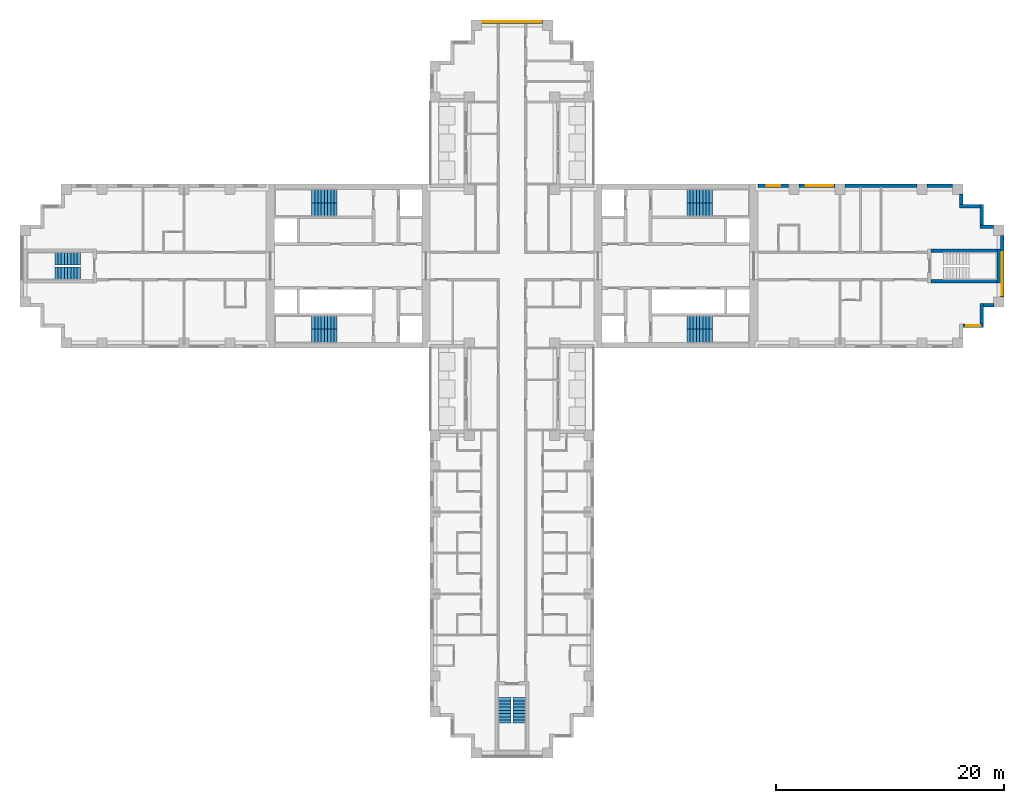
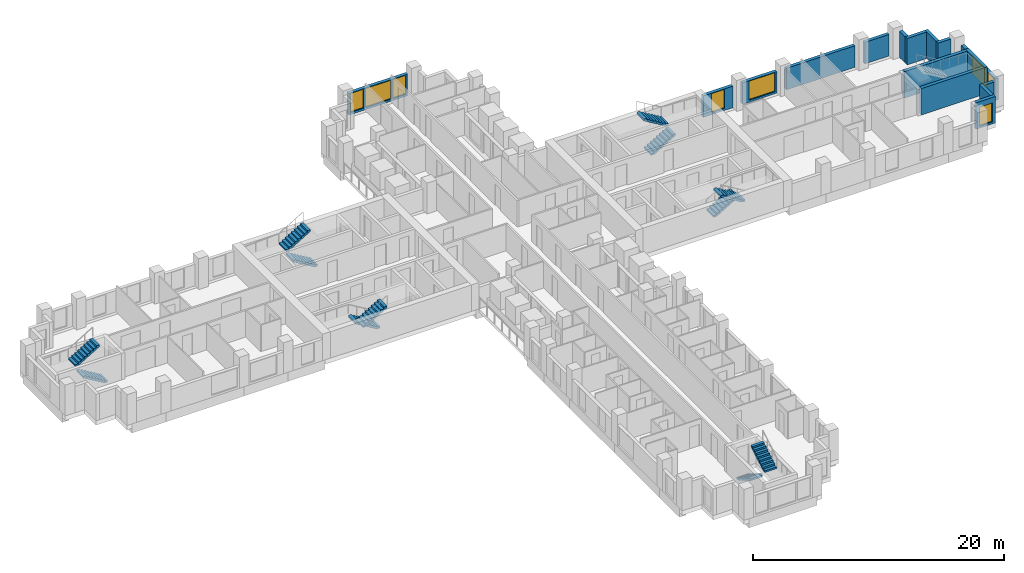
# One storey, part 11 of 14: 16 walls, 12 stair flights, 8 windows, 8 openings, 6 elements without a shape of their own.
"""IFC4 building model written with IfcOpenShell, lengths in metres."""

import ifcopenshell
import ifcopenshell.guid

model = None  # the IFC model being written
_history = None  # IfcOwnerHistory: only IFC2X3 demands one
_inside = {}  # id of a spatial element -> (the spatial element, [elements in it])
_under = {}  # id of a project, library or spatial element -> (it, [spatial elements below it])
_declared = {}  # id of a project -> (the project, [libraries it declares])
_typed = {}  # id of a type object -> (the type object, [elements of that type])
_made_of = {}  # id of a material, layer set ... -> (it, [elements and type objects made of it])


def new_model(schema):
    """Start an empty IFC model of exactly this schema.

    Asked for "IFC4X3", IfcOpenShell would pick the latest addendum, in which some entities
    have other attributes; the version numbers below select the first issue.
    IFC2X3 requires an IfcOwnerHistory on every rooted entity: one is made here for all.
    """
    global model, _history
    if schema == "IFC4X3":
        model = ifcopenshell.file(schema_version=(4, 3, 0, 0))
    else:
        model = ifcopenshell.file(schema=schema)
    _inside.clear()
    _under.clear()
    _declared.clear()
    _typed.clear()
    _made_of.clear()
    _history = None
    if model.schema == "IFC2X3":
        org = make("IfcOrganization", Name="unknown")
        user = make(
            "IfcPersonAndOrganization",
            ThePerson=make("IfcPerson", FamilyName="unknown"),
            TheOrganization=org,
        )
        app = make(
            "IfcApplication",
            ApplicationDeveloper=org,
            Version="unknown",
            ApplicationFullName="unknown",
            ApplicationIdentifier="unknown",
        )
        _history = make(
            "IfcOwnerHistory",
            OwningUser=user,
            OwningApplication=app,
            ChangeAction="ADDED",
            CreationDate=0,
        )
    return model


def make(cls, **values):
    """One entity of the class cls with the attributes given. An attribute that is None is left unset."""
    return model.create_entity(
        cls, **{name: value for name, value in values.items() if value is not None}
    )


def rooted(cls, **values):
    """An entity with a GlobalId (a new one), such as an element, a storey or a relation."""
    return make(cls, GlobalId=ifcopenshell.guid.new(), OwnerHistory=_history, **values)


def si_unit(unit_type, name, prefix=None):
    """IfcSIUnit, for example si_unit("LENGTHUNIT", "METRE", prefix="MILLI")."""
    return make("IfcSIUnit", UnitType=unit_type, Prefix=prefix, Name=name)


def assignment(units):
    """IfcUnitAssignment: the units of a project."""
    return None if units is None else make("IfcUnitAssignment", Units=units)


def point(xyz):
    """IfcCartesianPoint."""
    return None if xyz is None else make("IfcCartesianPoint", Coordinates=xyz)


def direction(xyz):
    """IfcDirection."""
    return None if xyz is None else make("IfcDirection", DirectionRatios=xyz)


def frame(location, z_axis=None, x_axis=None):
    """IfcAxis2Placement3D, a coordinate frame: its origin and axes. An axis left out is left unset."""
    return make(
        "IfcAxis2Placement3D",
        Location=point(location),
        Axis=direction(z_axis),
        RefDirection=direction(x_axis),
    )


def frame_2d(location, x_axis=None):
    """IfcAxis2Placement2D, a coordinate frame in the plane: its origin and x axis."""
    return make(
        "IfcAxis2Placement2D", Location=point(location), RefDirection=direction(x_axis)
    )


def origin():
    """The frame at (0, 0, 0) with its axes left unset."""
    return frame((0.0, 0.0, 0.0))


def place(relative_to, where):
    """IfcLocalPlacement: puts the frame where relative to a parent placement (None: the world)."""
    return make(
        "IfcLocalPlacement", PlacementRelTo=relative_to, RelativePlacement=where
    )


def context(
    kind, dimensions, precision=None, world=None, true_north=None, identifier=None
):
    """IfcGeometricRepresentationContext, for example the 3D "Model" context."""
    return make(
        "IfcGeometricRepresentationContext",
        ContextIdentifier=identifier,
        ContextType=kind,
        CoordinateSpaceDimension=dimensions,
        Precision=precision,
        WorldCoordinateSystem=world,
        TrueNorth=true_north,
    )


def subcontext(parent, identifier, kind, view, scale=None):
    """IfcGeometricRepresentationSubContext, for example "Body" below "Model"."""
    return make(
        "IfcGeometricRepresentationSubContext",
        ContextIdentifier=identifier,
        ContextType=kind,
        ParentContext=parent,
        TargetScale=scale,
        TargetView=view,
    )


def project(units=None, contexts=None):
    """IfcProject with its units and contexts."""
    return rooted(
        "IfcProject",
        Name="project",
        RepresentationContexts=contexts,
        UnitsInContext=assignment(units),
    )


def spatial(cls, under=None, at=None, **own):
    """A site, building, storey or space (cls), placed at a placement, below another one or the project."""
    s = rooted(cls, ObjectPlacement=at, **own)
    if under is not None:
        _under.setdefault(under.id(), (under, []))[1].append(s)
    return s


def polyline(points):
    """IfcPolyline through the points."""
    return make("IfcPolyline", Points=[point(p) for p in points])


def profile(cls, at=None, kind="AREA", **sizes):
    """A parametric profile (cls). Its sizes go by their IFC names, for example OverallWidth=200.0."""
    return make(cls, ProfileType=kind, Position=at, **sizes)


def rectangle(**sizes):
    """IfcRectangleProfileDef."""
    return profile("IfcRectangleProfileDef", **sizes)


def outline(outer, holes=None, kind="AREA"):
    """IfcArbitraryClosedProfileDef: a profile drawn as a closed curve; with holes, ...WithVoids."""
    if holes is None:
        return make("IfcArbitraryClosedProfileDef", ProfileType=kind, OuterCurve=outer)
    return make(
        "IfcArbitraryProfileDefWithVoids",
        ProfileType=kind,
        OuterCurve=outer,
        InnerCurves=holes,
    )


def extrude(swept, where, along, depth):
    """IfcExtrudedAreaSolid: the profile swept, set in the frame where, extruded along a direction by depth."""
    return make(
        "IfcExtrudedAreaSolid",
        SweptArea=swept,
        Position=where,
        ExtrudedDirection=direction(along),
        Depth=depth,
    )


def shape(context_of_items, identifier, shape_type, items):
    """IfcShapeRepresentation: the items that make up one representation, for example the "Body"."""
    return make(
        "IfcShapeRepresentation",
        ContextOfItems=context_of_items,
        RepresentationIdentifier=identifier,
        RepresentationType=shape_type,
        Items=items,
    )


def material(Name=None, Category=None):
    """IfcMaterial."""
    return make("IfcMaterial", Name=Name, Category=Category)


def layer(
    of_material, thickness, ventilated=None, Name=None, Category=None, Priority=None
):
    """IfcMaterialLayer: one layer of a wall or slab, of a material (None: an air gap)."""
    return make(
        "IfcMaterialLayer",
        Material=of_material,
        LayerThickness=thickness,
        IsVentilated=ventilated,
        Name=Name,
        Category=Category,
        Priority=Priority,
    )


def layer_set(layers, Name=None):
    """IfcMaterialLayerSet."""
    return make("IfcMaterialLayerSet", MaterialLayers=layers, LayerSetName=Name)


def made_of(thing, what):
    """Note that an element or type object is made of a material, layer set ...; save() writes the relation."""
    if what is not None:
        _made_of.setdefault(what.id(), (what, []))[1].append(thing)
    return thing


def type_object(cls, material=None, **own):
    """A type object (cls), such as IfcWallType, which elements share."""
    return made_of(rooted(cls, **own), material)


def element(
    cls,
    number,
    at=None,
    inside=None,
    cuts=None,
    type_object=None,
    material=None,
    context=None,
    identifier="Body",
    shape_type=None,
    held_by="IfcProductDefinitionShape",
    body=None,
    shapes=None,
    **own,
):
    """One element of the class cls, such as IfcWall. Its Tag is "e" and its number.

    at: its placement. inside: the storey or other place that contains it. cuts: it is an
    opening in that element (IfcRelVoidsElement). A single representation is given by context,
    identifier, shape_type and body (its items); several are given by shapes. held_by: the class
    of the entity that holds the representations. save() writes the other relations.
    """
    e = rooted(cls, Tag="e%d" % number, ObjectPlacement=at, **own)
    if body is not None:
        shapes = [shape(context, identifier, shape_type, body)]
    if shapes is not None:
        e.Representation = make(held_by, Representations=shapes)
    if inside is not None:
        _inside.setdefault(inside.id(), (inside, []))[1].append(e)
    if cuts is not None:
        rooted(
            "IfcRelVoidsElement", RelatingBuildingElement=cuts, RelatedOpeningElement=e
        )
    if type_object is not None:
        _typed.setdefault(type_object.id(), (type_object, []))[1].append(e)
    return made_of(e, material)


def fill(opening, filler):
    """IfcRelFillsElement: the door or window that sits in an opening."""
    return rooted(
        "IfcRelFillsElement",
        RelatingOpeningElement=opening,
        RelatedBuildingElement=filler,
    )


def aggregate(whole, parts):
    """IfcRelAggregates: a whole, such as a stair, and the parts it consists of."""
    return rooted("IfcRelAggregates", RelatingObject=whole, RelatedObjects=parts)


def save(model, path):
    """Write the relations noted so far, then the file.

    IfcRelAggregates (storeys below a building ...), IfcRelContainedInSpatialStructure (elements
    in a storey), IfcRelDefinesByType, IfcRelAssociatesMaterial and IfcRelDeclares: one each for
    every whole, place, type object, material and project.
    """
    for whole, parts in _under.values():
        aggregate(whole, parts)
    for where, things in _inside.values():
        rooted(
            "IfcRelContainedInSpatialStructure",
            RelatedElements=things,
            RelatingStructure=where,
        )
    for kind, things in _typed.values():
        rooted("IfcRelDefinesByType", RelatedObjects=things, RelatingType=kind)
    for what, things in _made_of.values():
        rooted("IfcRelAssociatesMaterial", RelatedObjects=things, RelatingMaterial=what)
    for by, libraries in _declared.values():
        rooted("IfcRelDeclares", RelatingContext=by, RelatedDefinitions=libraries)
    model.write(path)


model = new_model("IFC4")

# Units and contexts
model_context = context("Model", 3, precision=1e-05, world=origin(), true_north=direction((0.0, 1.0)))
body_context = subcontext(model_context, "Body", "Model", "MODEL_VIEW")
ifc_project = project(units=[si_unit("LENGTHUNIT", "METRE"), si_unit("AREAUNIT", "SQUARE_METRE"), si_unit("VOLUMEUNIT", "CUBIC_METRE"), si_unit("PLANEANGLEUNIT", "RADIAN"), si_unit("MASSUNIT", "GRAM", prefix="KILO")], contexts=[model_context])

# Site, building, storey
site_placement = place(None, origin())
site = spatial("IfcSite", under=ifc_project, at=site_placement, CompositionType="ELEMENT")
building_placement = place(site_placement, origin())
building = spatial("IfcBuilding", under=site, at=building_placement, Name="Fustian Cross Tower", CompositionType="ELEMENT")
storey_placement = place(building_placement, frame((0.0, 0.0, 93.89990234375)))
storey = spatial("IfcBuildingStorey", under=building, at=storey_placement, Name="L29", CompositionType="ELEMENT", Elevation=93.89990234375)

# Walls
ifc_material_1 = material(Name="Concrete C50/60", Category="concrete")
ifc_layer_1 = layer(ifc_material_1, 0.300048828125)
ifc_layer_set_1 = layer_set([ifc_layer_1], Name="Concrete C50/60")
wall_type_1 = type_object("IfcWallType", Name="STAIR ENCLOSURE WALL 300 C50/60", PredefinedType="SHEAR", material=ifc_layer_set_1)
wall_1_placement = place(storey_placement, frame((42.75, -1.5, 0.0), z_axis=(0.0, 0.0, 1.0), x_axis=(0.0, 1.0, 0.0)))
element("IfcWall", 1, at=wall_1_placement, inside=storey, type_object=wall_type_1, Name="Stair enclosure wall", PredefinedType="SHEAR", context=body_context, shape_type="SweptSolid", body=[
    extrude(rectangle(XDim=3.0, YDim=0.300048828125, at=frame_2d((1.5, 0.0))), origin(), (0.0, 0.0, 1.0), 2.5751953125),
])
for number, where, z_axis, x_axis, name in (
    (2, (36.800048828125, -1.35009765625, 0.0), (0.0, 0.0, 1.0), (1.0, 0.0, 0.0), "Stair enclosure wall"),
    (3, (36.800048828125, 1.35009765625, 0.0), (0.0, 0.0, 1.0), (1.0, 0.0, 0.0), "Stair enclosure wall"),
):
    element("IfcWall", number, at=place(storey_placement, frame(where, z_axis=z_axis, x_axis=x_axis)), inside=storey, type_object=wall_type_1, Name=name, PredefinedType="SHEAR", context=body_context, shape_type="SweptSolid", body=[
        extrude(rectangle(XDim=5.800048828125, YDim=0.300048828125, at=frame_2d((2.89990234375, 0.0))), origin(), (0.0, 0.0, 1.0), 2.5751953125),
    ])

# Wall, opening, window
ifc_material_2 = material(Name="Dark aluminium cladding on insulated backing wall", Category="aluminium")
ifc_layer_2 = layer(ifc_material_2, 0.300048828125)
ifc_layer_set_2 = layer_set([ifc_layer_2], Name="Dark aluminium cladding on insulated backing wall")
wall_type_2 = type_object("IfcWallType", Name="XW1 EXTERNAL WALL 300", PredefinedType="SOLIDWALL", material=ifc_layer_set_2)
wall_2_placement = place(storey_placement, frame((39.60009765625, -5.25, 0.0), z_axis=(0.0, 0.0, 1.0), x_axis=(1.0, 0.0, 0.0)))
wall_2 = element("IfcWall", 4, at=wall_2_placement, inside=storey, type_object=wall_type_2, Name="External wall", PredefinedType="SOLIDWALL", context=body_context, shape_type="SweptSolid", body=[
    extrude(rectangle(XDim=1.7998046875, YDim=0.300048828125, at=frame_2d((0.89990234375, 0.0))), origin(), (0.0, 0.0, 1.0), 2.5751953125),
])
opening_1_placement = place(wall_2_placement, frame((0.300048828125, 0.0, 0.199951171875)))
opening_1 = element("IfcOpeningElement", 5, at=opening_1_placement, cuts=wall_2, Name="Opening WN3", PredefinedType="OPENING", context=body_context, shape_type="SweptSolid", body=[
    extrude(rectangle(XDim=1.199951171875, YDim=1.85009765625, at=frame_2d((0.60009765625, 0.925048828125))), frame((0.0, 0.159912109375, 0.0), z_axis=(0.0, -1.0, 0.0), x_axis=(1.0, 0.0, 0.0)), (0.0, 0.0, 1.0), 0.320068359375),
])
ifc_material_3 = material(Name="Dark anodised aluminium and double glazing", Category="aluminium")
window_type_1 = type_object("IfcWindowType", Name="WN3 WINDOW 1200X1850", PartitioningType="SINGLE_PANEL", PredefinedType="WINDOW", material=ifc_material_3)
window_1_placement = place(opening_1_placement, origin())
window_1 = element("IfcWindow", 6, at=window_1_placement, inside=storey, type_object=window_type_1, Name="Window", OverallHeight=1.85009765625, OverallWidth=1.199951171875, PartitioningType="SINGLE_PANEL", PredefinedType="WINDOW", context=body_context, shape_type="SweptSolid", body=[
    extrude(rectangle(XDim=1.199951171875, YDim=1.85009765625, at=frame_2d((0.60009765625, 0.925048828125))), frame((0.0, 0.030029296875, 0.0), z_axis=(0.0, -1.0, 0.0), x_axis=(1.0, 0.0, 0.0)), (0.0, 0.0, 1.0), 0.06005859375),
])
fill(opening_1, window_1)

# Walls
wall_3_placement = place(storey_placement, frame((41.25, -5.10009765625, 0.0), z_axis=(0.0, 0.0, 1.0), x_axis=(0.0, 1.0, 0.0)))
element("IfcWall", 7, at=wall_3_placement, inside=storey, type_object=wall_type_2, Name="External wall", PredefinedType="SOLIDWALL", context=body_context, shape_type="SweptSolid", body=[
    extrude(rectangle(XDim=1.800048828125, YDim=0.300048828125, at=frame_2d((0.89990234375, 0.0))), origin(), (0.0, 0.0, 1.0), 2.5751953125),
])
wall_4_placement = place(storey_placement, frame((41.39990234375, -3.449951171875, 0.0), z_axis=(0.0, 0.0, 1.0), x_axis=(1.0, 0.0, 0.0)))
element("IfcWall", 8, at=wall_4_placement, inside=storey, type_object=wall_type_2, Name="External wall", PredefinedType="SOLIDWALL", context=body_context, shape_type="SweptSolid", body=[
    extrude(rectangle(XDim=0.900146484375, YDim=0.300048828125, at=frame_2d((0.4501953125, 0.0))), origin(), (0.0, 0.0, 1.0), 2.5751953125),
])

# Wall, openings, windows
wall_5_placement = place(storey_placement, frame((43.050048828125, -2.699951171875, 0.0), z_axis=(0.0, 0.0, 1.0), x_axis=(0.0, 1.0, 0.0)))
wall_5 = element("IfcWall", 9, at=wall_5_placement, inside=storey, type_object=wall_type_2, Name="External wall", PredefinedType="SOLIDWALL", context=body_context, shape_type="SweptSolid", body=[
    extrude(rectangle(XDim=5.39990234375, YDim=0.300048828125, at=frame_2d((2.699951171875, 0.0))), origin(), (0.0, 0.0, 1.0), 2.10009765625),
])
opening_2_placement = place(wall_5_placement, frame((1.5, 0.0, 0.199951171875)))
opening_2 = element("IfcOpeningElement", 10, at=opening_2_placement, cuts=wall_5, Name="Opening WN1", PredefinedType="OPENING", context=body_context, shape_type="SweptSolid", body=[
    extrude(rectangle(XDim=2.39990234375, YDim=1.85009765625, at=frame_2d((1.199951171875, 0.925048828125))), frame((0.0, 0.159912109375, 0.0), z_axis=(0.0, -1.0, 0.0), x_axis=(1.0, 0.0, 0.0)), (0.0, 0.0, 1.0), 0.320068359375),
])
opening_3_placement = place(wall_5_placement, frame((0.14990234375, 0.0, 0.199951171875)))
opening_3 = element("IfcOpeningElement", 11, at=opening_3_placement, cuts=wall_5, Name="Opening WN3", PredefinedType="OPENING", context=body_context, shape_type="SweptSolid", body=[
    extrude(rectangle(XDim=1.199951171875, YDim=1.85009765625, at=frame_2d((0.60009765625, 0.925048828125))), frame((0.0, 0.159912109375, 0.0), z_axis=(0.0, -1.0, 0.0), x_axis=(1.0, 0.0, 0.0)), (0.0, 0.0, 1.0), 0.320068359375),
])
ifc_material_4 = material(Name="Dark anodised aluminium and double glazing", Category="aluminium")
window_type_2 = type_object("IfcWindowType", Name="WN1 WINDOW 2400X1850", PartitioningType="SINGLE_PANEL", PredefinedType="WINDOW", material=ifc_material_4)
window_2_placement = place(opening_2_placement, origin())
window_2 = element("IfcWindow", 12, at=window_2_placement, inside=storey, type_object=window_type_2, Name="Window", OverallHeight=1.85009765625, OverallWidth=2.39990234375, PartitioningType="SINGLE_PANEL", PredefinedType="WINDOW", context=body_context, shape_type="SweptSolid", body=[
    extrude(rectangle(XDim=2.39990234375, YDim=1.85009765625, at=frame_2d((1.199951171875, 0.925048828125))), frame((0.0, 0.030029296875, 0.0), z_axis=(0.0, -1.0, 0.0), x_axis=(1.0, 0.0, 0.0)), (0.0, 0.0, 1.0), 0.06005859375),
])
fill(opening_2, window_2)
window_3_placement = place(opening_3_placement, origin())
window_3 = element("IfcWindow", 13, at=window_3_placement, inside=storey, type_object=window_type_1, Name="Window", OverallHeight=1.85009765625, OverallWidth=1.199951171875, PartitioningType="SINGLE_PANEL", PredefinedType="WINDOW", context=body_context, shape_type="SweptSolid", body=[
    extrude(rectangle(XDim=1.199951171875, YDim=1.85009765625, at=frame_2d((0.60009765625, 0.925048828125))), frame((0.0, 0.030029296875, 0.0), z_axis=(0.0, -1.0, 0.0), x_axis=(1.0, 0.0, 0.0)), (0.0, 0.0, 1.0), 0.06005859375),
])
fill(opening_3, window_3)

# Walls
wall_6_placement = place(storey_placement, frame((42.300048828125, 3.449951171875, 0.0), z_axis=(0.0, 0.0, 1.0), x_axis=(-1.0, 0.0, 0.0)))
element("IfcWall", 14, at=wall_6_placement, inside=storey, type_object=wall_type_2, Name="External wall", PredefinedType="SOLIDWALL", context=body_context, shape_type="SweptSolid", body=[
    extrude(rectangle(XDim=1.199951171875, YDim=0.300048828125, at=frame_2d((0.60009765625, 0.0))), origin(), (0.0, 0.0, 1.0), 2.5751953125),
])
wall_7_placement = place(storey_placement, frame((41.25, 3.60009765625, 0.0), z_axis=(0.0, 0.0, 1.0), x_axis=(0.0, 1.0, 0.0)))
element("IfcWall", 15, at=wall_7_placement, inside=storey, type_object=wall_type_2, Name="External wall", PredefinedType="SOLIDWALL", context=body_context, shape_type="SweptSolid", body=[
    extrude(rectangle(XDim=1.7998046875, YDim=0.300048828125, at=frame_2d((0.89990234375, 0.0))), origin(), (0.0, 0.0, 1.0), 2.5751953125),
])
wall_8_placement = place(storey_placement, frame((41.10009765625, 5.25, 0.0), z_axis=(0.0, 0.0, 1.0), x_axis=(-1.0, 0.0, 0.0)))
element("IfcWall", 16, at=wall_8_placement, inside=storey, type_object=wall_type_2, Name="External wall", PredefinedType="SOLIDWALL", context=body_context, shape_type="SweptSolid", body=[
    extrude(rectangle(XDim=1.800048828125, YDim=0.300048828125, at=frame_2d((0.89990234375, 0.0))), origin(), (0.0, 0.0, 1.0), 2.5751953125),
])
wall_9_placement = place(storey_placement, frame((39.449951171875, 5.39990234375, 0.0), z_axis=(0.0, 0.0, 1.0), x_axis=(0.0, 1.0, 0.0)))
element("IfcWall", 17, at=wall_9_placement, inside=storey, type_object=wall_type_2, Name="External wall", PredefinedType="SOLIDWALL", context=body_context, shape_type="SweptSolid", body=[
    extrude(rectangle(XDim=0.900146484375, YDim=0.300048828125, at=frame_2d((0.4501953125, 0.0))), origin(), (0.0, 0.0, 1.0), 2.5751953125),
])
wall_10_placement = place(storey_placement, frame((38.699951171875, 7.050048828125, 0.0), z_axis=(0.0, 0.0, 1.0), x_axis=(-1.0, 0.0, 0.0)))
element("IfcWall", 18, at=wall_10_placement, inside=storey, type_object=wall_type_2, Name="External wall", PredefinedType="SOLIDWALL", context=body_context, shape_type="SweptSolid", body=[
    extrude(rectangle(XDim=2.25, YDim=0.300048828125, at=frame_2d((1.125, 0.0))), origin(), (0.0, 0.0, 1.0), 2.10009765625),
])
wall_11_placement = place(storey_placement, frame((35.550048828125, 7.050048828125, 0.0), z_axis=(0.0, 0.0, 1.0), x_axis=(-1.0, 0.0, 0.0)))
element("IfcWall", 19, at=wall_11_placement, inside=storey, type_object=wall_type_2, Name="External wall", PredefinedType="SOLIDWALL", context=body_context, shape_type="SweptSolid", body=[
    extrude(rectangle(XDim=6.300048828125, YDim=0.300048828125, at=frame_2d((3.14990234375, 0.0))), origin(), (0.0, 0.0, 1.0), 2.10009765625),
])

# Wall, opening, window
wall_12_placement = place(storey_placement, frame((28.35009765625, 7.050048828125, 0.0), z_axis=(0.0, 0.0, 1.0), x_axis=(-1.0, 0.0, 0.0)))
wall_12 = element("IfcWall", 20, at=wall_12_placement, inside=storey, type_object=wall_type_2, Name="External wall", PredefinedType="SOLIDWALL", context=body_context, shape_type="SweptSolid", body=[
    extrude(rectangle(XDim=3.150146484375, YDim=0.300048828125, at=frame_2d((1.5751953125, 0.0))), origin(), (0.0, 0.0, 1.0), 2.10009765625),
])
opening_4_placement = place(wall_12_placement, frame((0.14990234375, 0.0, 0.199951171875)))
opening_4 = element("IfcOpeningElement", 21, at=opening_4_placement, cuts=wall_12, Name="Opening WN1", PredefinedType="OPENING", context=body_context, shape_type="SweptSolid", body=[
    extrude(rectangle(XDim=2.39990234375, YDim=1.85009765625, at=frame_2d((1.199951171875, 0.925048828125))), frame((0.0, 0.159912109375, 0.0), z_axis=(0.0, -1.0, 0.0), x_axis=(1.0, 0.0, 0.0)), (0.0, 0.0, 1.0), 0.320068359375),
])
window_4_placement = place(opening_4_placement, origin())
window_4 = element("IfcWindow", 22, at=window_4_placement, inside=storey, type_object=window_type_2, Name="Window", OverallHeight=1.85009765625, OverallWidth=2.39990234375, PartitioningType="SINGLE_PANEL", PredefinedType="WINDOW", context=body_context, shape_type="SweptSolid", body=[
    extrude(rectangle(XDim=2.39990234375, YDim=1.85009765625, at=frame_2d((1.199951171875, 0.925048828125))), frame((0.0, 0.030029296875, 0.0), z_axis=(0.0, -1.0, 0.0), x_axis=(1.0, 0.0, 0.0)), (0.0, 0.0, 1.0), 0.06005859375),
])
fill(opening_4, window_4)

wall_13_placement = place(storey_placement, frame((24.300048828125, 7.050048828125, 0.0), z_axis=(0.0, 0.0, 1.0), x_axis=(-1.0, 0.0, 0.0)))
wall_13 = element("IfcWall", 23, at=wall_13_placement, inside=storey, type_object=wall_type_2, Name="External wall", PredefinedType="SOLIDWALL", context=body_context, shape_type="SweptSolid", body=[
    extrude(rectangle(XDim=2.699951171875, YDim=0.300048828125, at=frame_2d((1.35009765625, 0.0))), origin(), (0.0, 0.0, 1.0), 2.10009765625),
])
opening_5_placement = place(wall_13_placement, frame((0.75, 0.0, 0.199951171875)))
opening_5 = element("IfcOpeningElement", 24, at=opening_5_placement, cuts=wall_13, Name="Opening WN3", PredefinedType="OPENING", context=body_context, shape_type="SweptSolid", body=[
    extrude(rectangle(XDim=1.199951171875, YDim=1.85009765625, at=frame_2d((0.60009765625, 0.925048828125))), frame((0.0, 0.159912109375, 0.0), z_axis=(0.0, -1.0, 0.0), x_axis=(1.0, 0.0, 0.0)), (0.0, 0.0, 1.0), 0.320068359375),
])
window_5_placement = place(opening_5_placement, origin())
window_5 = element("IfcWindow", 25, at=window_5_placement, inside=storey, type_object=window_type_1, Name="Window", OverallHeight=1.85009765625, OverallWidth=1.199951171875, PartitioningType="SINGLE_PANEL", PredefinedType="WINDOW", context=body_context, shape_type="SweptSolid", body=[
    extrude(rectangle(XDim=1.199951171875, YDim=1.85009765625, at=frame_2d((0.60009765625, 0.925048828125))), frame((0.0, 0.030029296875, 0.0), z_axis=(0.0, -1.0, 0.0), x_axis=(1.0, 0.0, 0.0)), (0.0, 0.0, 1.0), 0.06005859375),
])
fill(opening_5, window_5)

# Wall, openings, windows
wall_14_placement = place(storey_placement, frame((2.699951171875, 21.449951171875, 0.0), z_axis=(0.0, 0.0, 1.0), x_axis=(-1.0, 0.0, 0.0)))
wall_14 = element("IfcWall", 26, at=wall_14_placement, inside=storey, type_object=wall_type_2, Name="External wall", PredefinedType="SOLIDWALL", context=body_context, shape_type="SweptSolid", body=[
    extrude(rectangle(XDim=5.39990234375, YDim=0.300048828125, at=frame_2d((2.699951171875, 0.0))), origin(), (0.0, 0.0, 1.0), 2.10009765625),
])
opening_6_placement = place(wall_14_placement, frame((1.5, 0.0, 0.199951171875)))
opening_6 = element("IfcOpeningElement", 27, at=opening_6_placement, cuts=wall_14, Name="Opening WN1", PredefinedType="OPENING", context=body_context, shape_type="SweptSolid", body=[
    extrude(rectangle(XDim=2.39990234375, YDim=1.85009765625, at=frame_2d((1.199951171875, 0.925048828125))), frame((0.0, 0.159912109375, 0.0), z_axis=(0.0, -1.0, 0.0), x_axis=(1.0, 0.0, 0.0)), (0.0, 0.0, 1.0), 0.320068359375),
])
opening_7_placement = place(wall_14_placement, frame((0.14990234375, 0.0, 0.199951171875)))
opening_7 = element("IfcOpeningElement", 28, at=opening_7_placement, cuts=wall_14, Name="Opening WN3", PredefinedType="OPENING", context=body_context, shape_type="SweptSolid", body=[
    extrude(rectangle(XDim=1.199951171875, YDim=1.85009765625, at=frame_2d((0.60009765625, 0.925048828125))), frame((0.0, 0.159912109375, 0.0), z_axis=(0.0, -1.0, 0.0), x_axis=(1.0, 0.0, 0.0)), (0.0, 0.0, 1.0), 0.320068359375),
])
opening_8_placement = place(wall_14_placement, frame((4.050048828125, 0.0, 0.199951171875)))
opening_8 = element("IfcOpeningElement", 29, at=opening_8_placement, cuts=wall_14, Name="Opening WN3", PredefinedType="OPENING", context=body_context, shape_type="SweptSolid", body=[
    extrude(rectangle(XDim=1.199951171875, YDim=1.85009765625, at=frame_2d((0.60009765625, 0.925048828125))), frame((0.0, 0.159912109375, 0.0), z_axis=(0.0, -1.0, 0.0), x_axis=(1.0, 0.0, 0.0)), (0.0, 0.0, 1.0), 0.320068359375),
])
window_6_placement = place(opening_6_placement, origin())
window_6 = element("IfcWindow", 30, at=window_6_placement, inside=storey, type_object=window_type_2, Name="Window", OverallHeight=1.85009765625, OverallWidth=2.39990234375, PartitioningType="SINGLE_PANEL", PredefinedType="WINDOW", context=body_context, shape_type="SweptSolid", body=[
    extrude(rectangle(XDim=2.39990234375, YDim=1.85009765625, at=frame_2d((1.199951171875, 0.925048828125))), frame((0.0, 0.030029296875, 0.0), z_axis=(0.0, -1.0, 0.0), x_axis=(1.0, 0.0, 0.0)), (0.0, 0.0, 1.0), 0.06005859375),
])
fill(opening_6, window_6)
window_7_placement = place(opening_7_placement, origin())
window_7 = element("IfcWindow", 31, at=window_7_placement, inside=storey, type_object=window_type_1, Name="Window", OverallHeight=1.85009765625, OverallWidth=1.199951171875, PartitioningType="SINGLE_PANEL", PredefinedType="WINDOW", context=body_context, shape_type="SweptSolid", body=[
    extrude(rectangle(XDim=1.199951171875, YDim=1.85009765625, at=frame_2d((0.60009765625, 0.925048828125))), frame((0.0, 0.030029296875, 0.0), z_axis=(0.0, -1.0, 0.0), x_axis=(1.0, 0.0, 0.0)), (0.0, 0.0, 1.0), 0.06005859375),
])
fill(opening_7, window_7)
window_8_placement = place(opening_8_placement, origin())
window_8 = element("IfcWindow", 32, at=window_8_placement, inside=storey, type_object=window_type_1, Name="Window", OverallHeight=1.85009765625, OverallWidth=1.199951171875, PartitioningType="SINGLE_PANEL", PredefinedType="WINDOW", context=body_context, shape_type="SweptSolid", body=[
    extrude(rectangle(XDim=1.199951171875, YDim=1.85009765625, at=frame_2d((0.60009765625, 0.925048828125))), frame((0.0, 0.030029296875, 0.0), z_axis=(0.0, -1.0, 0.0), x_axis=(1.0, 0.0, 0.0)), (0.0, 0.0, 1.0), 0.06005859375),
])
fill(opening_8, window_8)

# Stair, stair flights
ifc_material_5 = material(Name="Concrete C50/60", Category="concrete")
stair_type_1 = type_object("IfcStairType", Name="STAIR 1100 HALF TURN", PredefinedType="HALF_TURN_STAIR", material=ifc_material_5)
stair_1_placement = place(storey_placement, origin())
stair_1 = element("IfcStair", 33, at=stair_1_placement, inside=storey, type_object=stair_type_1, Name="Stair ST6", PredefinedType="HALF_TURN_STAIR")
ifc_material_6 = material(Name="Concrete C50/60", Category="concrete")
stair_flight_type_1 = type_object("IfcStairFlightType", Name="STAIR FLIGHT 1100", PredefinedType="STRAIGHT", material=ifc_material_6)
stair_flight_1_placement = place(storey_placement, frame((-0.64990234375, -37.89990234375, 0.0), z_axis=(0.0, 0.0, 1.0), x_axis=(0.0, -1.0, 0.0)))
stair_flight_1 = element("IfcStairFlight", 34, at=stair_flight_1_placement, type_object=stair_flight_type_1, Name="ST6 flight 1", NumberOfRisers=9, NumberOfTreads=8, PredefinedType="STRAIGHT", RiserHeight=0.166666667, TreadLength=0.28, context=body_context, shape_type="SweptSolid", body=[
    extrude(outline(polyline([(0.0, 0.0), (0.0, 0.166748046875), (0.280029296875, 0.166748046875), (0.280029296875, 0.333251953125), (0.56005859375, 0.333251953125), (0.56005859375, 0.5), (0.840087890625, 0.5), (0.840087890625, 0.666748046875), (1.1201171875, 0.666748046875), (1.1201171875, 0.833251953125), (1.39990234375, 0.833251953125), (1.39990234375, 1.0), (1.679931640625, 1.0), (1.679931640625, 1.166748046875), (1.9599609375, 1.166748046875), (1.9599609375, 1.333251953125), (2.239990234375, 1.333251953125), (2.239990234375, 1.5), (2.239990234375, 1.158935546875), (0.29296875, 0.0), (0.0, 0.0)])), frame((0.0, 0.550048828125, 0.0), z_axis=(0.0, -1.0, 0.0), x_axis=(1.0, 0.0, 0.0)), (0.0, 0.0, 1.0), 1.10009765625),
])
stair_flight_2_placement = place(storey_placement, frame((0.64990234375, -40.139892578125, 1.5), z_axis=(0.0, 0.0, 1.0), x_axis=(0.0, 1.0, 0.0)))
stair_flight_2 = element("IfcStairFlight", 35, at=stair_flight_2_placement, type_object=stair_flight_type_1, Name="ST6 flight 2", NumberOfRisers=9, NumberOfTreads=8, PredefinedType="STRAIGHT", RiserHeight=0.166666667, TreadLength=0.28, context=body_context, shape_type="SweptSolid", body=[
    extrude(outline(polyline([(0.0, 0.0), (0.0, 0.166748046875), (0.280029296875, 0.166748046875), (0.280029296875, 0.333251953125), (0.56005859375, 0.333251953125), (0.56005859375, 0.5), (0.840087890625, 0.5), (0.840087890625, 0.666748046875), (1.1201171875, 0.666748046875), (1.1201171875, 0.833251953125), (1.39990234375, 0.833251953125), (1.39990234375, 1.0), (1.679931640625, 1.0), (1.679931640625, 1.166748046875), (1.9599609375, 1.166748046875), (1.9599609375, 1.333251953125), (2.239990234375, 1.333251953125), (2.239990234375, 1.5), (2.239990234375, 1.158935546875), (0.29296875, 0.0), (0.0, 0.0)])), frame((0.0, 0.550048828125, 0.0), z_axis=(0.0, -1.0, 0.0), x_axis=(1.0, 0.0, 0.0)), (0.0, 0.0, 1.0), 1.10009765625),
])
aggregate(stair_1, [stair_flight_1, stair_flight_2])

stair_2_placement = place(storey_placement, origin())
stair_2 = element("IfcStair", 36, at=stair_2_placement, inside=storey, type_object=stair_type_1, Name="Stair ST9", PredefinedType="HALF_TURN_STAIR")
stair_flight_3_placement = place(storey_placement, frame((-37.89990234375, -0.64990234375, 0.0), z_axis=(0.0, 0.0, 1.0), x_axis=(-1.0, 0.0, 0.0)))
stair_flight_3 = element("IfcStairFlight", 37, at=stair_flight_3_placement, type_object=stair_flight_type_1, Name="ST9 flight 1", NumberOfRisers=9, NumberOfTreads=8, PredefinedType="STRAIGHT", RiserHeight=0.166666667, TreadLength=0.28, context=body_context, shape_type="SweptSolid", body=[
    extrude(outline(polyline([(0.0, 0.0), (0.0, 0.166748046875), (0.280029296875, 0.166748046875), (0.280029296875, 0.333251953125), (0.56005859375, 0.333251953125), (0.56005859375, 0.5), (0.840087890625, 0.5), (0.840087890625, 0.666748046875), (1.1201171875, 0.666748046875), (1.1201171875, 0.833251953125), (1.39990234375, 0.833251953125), (1.39990234375, 1.0), (1.679931640625, 1.0), (1.679931640625, 1.166748046875), (1.9599609375, 1.166748046875), (1.9599609375, 1.333251953125), (2.239990234375, 1.333251953125), (2.239990234375, 1.5), (2.239990234375, 1.158935546875), (0.29296875, 0.0), (0.0, 0.0)])), frame((0.0, 0.550048828125, 0.0), z_axis=(0.0, -1.0, 0.0), x_axis=(1.0, 0.0, 0.0)), (0.0, 0.0, 1.0), 1.10009765625),
])
stair_flight_4_placement = place(storey_placement, frame((-40.139892578125, 0.64990234375, 1.5), z_axis=(0.0, 0.0, 1.0), x_axis=(1.0, 0.0, 0.0)))
stair_flight_4 = element("IfcStairFlight", 38, at=stair_flight_4_placement, type_object=stair_flight_type_1, Name="ST9 flight 2", NumberOfRisers=9, NumberOfTreads=8, PredefinedType="STRAIGHT", RiserHeight=0.166666667, TreadLength=0.28, context=body_context, shape_type="SweptSolid", body=[
    extrude(outline(polyline([(0.0, 0.0), (0.0, 0.166748046875), (0.280029296875, 0.166748046875), (0.280029296875, 0.333251953125), (0.56005859375, 0.333251953125), (0.56005859375, 0.5), (0.840087890625, 0.5), (0.840087890625, 0.666748046875), (1.1201171875, 0.666748046875), (1.1201171875, 0.833251953125), (1.39990234375, 0.833251953125), (1.39990234375, 1.0), (1.679931640625, 1.0), (1.679931640625, 1.166748046875), (1.9599609375, 1.166748046875), (1.9599609375, 1.333251953125), (2.239990234375, 1.333251953125), (2.239990234375, 1.5), (2.239990234375, 1.158935546875), (0.29296875, 0.0), (0.0, 0.0)])), frame((0.0, 0.550048828125, 0.0), z_axis=(0.0, -1.0, 0.0), x_axis=(1.0, 0.0, 0.0)), (0.0, 0.0, 1.0), 1.10009765625),
])
aggregate(stair_2, [stair_flight_3, stair_flight_4])

ifc_material_7 = material(Name="Concrete C50/60", Category="concrete")
stair_type_2 = type_object("IfcStairType", Name="STAIR 1150 HALF TURN", PredefinedType="HALF_TURN_STAIR", material=ifc_material_7)
stair_3_placement = place(storey_placement, origin())
stair_3 = element("IfcStair", 39, at=stair_3_placement, inside=storey, type_object=stair_type_2, Name="Stair ST1", PredefinedType="HALF_TURN_STAIR")
ifc_material_8 = material(Name="Concrete C50/60", Category="concrete")
stair_flight_type_2 = type_object("IfcStairFlightType", Name="STAIR FLIGHT 1150", PredefinedType="STRAIGHT", material=ifc_material_8)
stair_flight_5_placement = place(storey_placement, frame((15.35009765625, 4.97509765625, 0.0), z_axis=(0.0, 0.0, 1.0), x_axis=(1.0, 0.0, 0.0)))
stair_flight_5 = element("IfcStairFlight", 40, at=stair_flight_5_placement, type_object=stair_flight_type_2, Name="ST1 flight 1", NumberOfRisers=9, NumberOfTreads=8, PredefinedType="STRAIGHT", RiserHeight=0.166666667, TreadLength=0.28, context=body_context, shape_type="SweptSolid", body=[
    extrude(outline(polyline([(0.0, 0.0), (0.0, 0.166748046875), (0.280029296875, 0.166748046875), (0.280029296875, 0.333251953125), (0.56005859375, 0.333251953125), (0.56005859375, 0.5), (0.840087890625, 0.5), (0.840087890625, 0.666748046875), (1.1201171875, 0.666748046875), (1.1201171875, 0.833251953125), (1.39990234375, 0.833251953125), (1.39990234375, 1.0), (1.679931640625, 1.0), (1.679931640625, 1.166748046875), (1.9599609375, 1.166748046875), (1.9599609375, 1.333251953125), (2.239990234375, 1.333251953125), (2.239990234375, 1.5), (2.239990234375, 1.158935546875), (0.29296875, 0.0), (0.0, 0.0)])), frame((0.0, 0.574951171875, 0.0), z_axis=(0.0, -1.0, 0.0), x_axis=(1.0, 0.0, 0.0)), (0.0, 0.0, 1.0), 1.14990234375),
])
stair_flight_6_placement = place(storey_placement, frame((17.590087890625, 6.125, 1.5), z_axis=(0.0, 0.0, 1.0), x_axis=(-1.0, 0.0, 0.0)))
stair_flight_6 = element("IfcStairFlight", 41, at=stair_flight_6_placement, type_object=stair_flight_type_2, Name="ST1 flight 2", NumberOfRisers=9, NumberOfTreads=8, PredefinedType="STRAIGHT", RiserHeight=0.166666667, TreadLength=0.28, context=body_context, shape_type="SweptSolid", body=[
    extrude(outline(polyline([(0.0, 0.0), (0.0, 0.166748046875), (0.280029296875, 0.166748046875), (0.280029296875, 0.333251953125), (0.56005859375, 0.333251953125), (0.56005859375, 0.5), (0.840087890625, 0.5), (0.840087890625, 0.666748046875), (1.1201171875, 0.666748046875), (1.1201171875, 0.833251953125), (1.39990234375, 0.833251953125), (1.39990234375, 1.0), (1.679931640625, 1.0), (1.679931640625, 1.166748046875), (1.9599609375, 1.166748046875), (1.9599609375, 1.333251953125), (2.239990234375, 1.333251953125), (2.239990234375, 1.5), (2.239990234375, 1.158935546875), (0.29296875, 0.0), (0.0, 0.0)])), frame((0.0, 0.574951171875, 0.0), z_axis=(0.0, -1.0, 0.0), x_axis=(1.0, 0.0, 0.0)), (0.0, 0.0, 1.0), 1.14990234375),
])
aggregate(stair_3, [stair_flight_5, stair_flight_6])

stair_4_placement = place(storey_placement, origin())
stair_4 = element("IfcStair", 42, at=stair_4_placement, inside=storey, type_object=stair_type_2, Name="Stair ST2", PredefinedType="HALF_TURN_STAIR")
stair_flight_7_placement = place(storey_placement, frame((15.35009765625, -4.97509765625, 0.0), z_axis=(0.0, 0.0, 1.0), x_axis=(1.0, 0.0, 0.0)))
stair_flight_7 = element("IfcStairFlight", 43, at=stair_flight_7_placement, type_object=stair_flight_type_2, Name="ST2 flight 1", NumberOfRisers=9, NumberOfTreads=8, PredefinedType="STRAIGHT", RiserHeight=0.166666667, TreadLength=0.28, context=body_context, shape_type="SweptSolid", body=[
    extrude(outline(polyline([(0.0, 0.0), (0.0, 0.166748046875), (0.280029296875, 0.166748046875), (0.280029296875, 0.333251953125), (0.56005859375, 0.333251953125), (0.56005859375, 0.5), (0.840087890625, 0.5), (0.840087890625, 0.666748046875), (1.1201171875, 0.666748046875), (1.1201171875, 0.833251953125), (1.39990234375, 0.833251953125), (1.39990234375, 1.0), (1.679931640625, 1.0), (1.679931640625, 1.166748046875), (1.9599609375, 1.166748046875), (1.9599609375, 1.333251953125), (2.239990234375, 1.333251953125), (2.239990234375, 1.5), (2.239990234375, 1.158935546875), (0.29296875, 0.0), (0.0, 0.0)])), frame((0.0, 0.574951171875, 0.0), z_axis=(0.0, -1.0, 0.0), x_axis=(1.0, 0.0, 0.0)), (0.0, 0.0, 1.0), 1.14990234375),
])
stair_flight_8_placement = place(storey_placement, frame((17.590087890625, -6.125, 1.5), z_axis=(0.0, 0.0, 1.0), x_axis=(-1.0, 0.0, 0.0)))
stair_flight_8 = element("IfcStairFlight", 44, at=stair_flight_8_placement, type_object=stair_flight_type_2, Name="ST2 flight 2", NumberOfRisers=9, NumberOfTreads=8, PredefinedType="STRAIGHT", RiserHeight=0.166666667, TreadLength=0.28, context=body_context, shape_type="SweptSolid", body=[
    extrude(outline(polyline([(0.0, 0.0), (0.0, 0.166748046875), (0.280029296875, 0.166748046875), (0.280029296875, 0.333251953125), (0.56005859375, 0.333251953125), (0.56005859375, 0.5), (0.840087890625, 0.5), (0.840087890625, 0.666748046875), (1.1201171875, 0.666748046875), (1.1201171875, 0.833251953125), (1.39990234375, 0.833251953125), (1.39990234375, 1.0), (1.679931640625, 1.0), (1.679931640625, 1.166748046875), (1.9599609375, 1.166748046875), (1.9599609375, 1.333251953125), (2.239990234375, 1.333251953125), (2.239990234375, 1.5), (2.239990234375, 1.158935546875), (0.29296875, 0.0), (0.0, 0.0)])), frame((0.0, 0.574951171875, 0.0), z_axis=(0.0, -1.0, 0.0), x_axis=(1.0, 0.0, 0.0)), (0.0, 0.0, 1.0), 1.14990234375),
])
aggregate(stair_4, [stair_flight_7, stair_flight_8])

stair_5_placement = place(storey_placement, origin())
stair_5 = element("IfcStair", 45, at=stair_5_placement, inside=storey, type_object=stair_type_2, Name="Stair ST3", PredefinedType="HALF_TURN_STAIR")
stair_flight_9_placement = place(storey_placement, frame((-15.35009765625, 4.97509765625, 0.0), z_axis=(0.0, 0.0, 1.0), x_axis=(-1.0, 0.0, 0.0)))
stair_flight_9 = element("IfcStairFlight", 46, at=stair_flight_9_placement, type_object=stair_flight_type_2, Name="ST3 flight 1", NumberOfRisers=9, NumberOfTreads=8, PredefinedType="STRAIGHT", RiserHeight=0.166666667, TreadLength=0.28, context=body_context, shape_type="SweptSolid", body=[
    extrude(outline(polyline([(0.0, 0.0), (0.0, 0.166748046875), (0.280029296875, 0.166748046875), (0.280029296875, 0.333251953125), (0.56005859375, 0.333251953125), (0.56005859375, 0.5), (0.840087890625, 0.5), (0.840087890625, 0.666748046875), (1.1201171875, 0.666748046875), (1.1201171875, 0.833251953125), (1.39990234375, 0.833251953125), (1.39990234375, 1.0), (1.679931640625, 1.0), (1.679931640625, 1.166748046875), (1.9599609375, 1.166748046875), (1.9599609375, 1.333251953125), (2.239990234375, 1.333251953125), (2.239990234375, 1.5), (2.239990234375, 1.158935546875), (0.29296875, 0.0), (0.0, 0.0)])), frame((0.0, 0.574951171875, 0.0), z_axis=(0.0, -1.0, 0.0), x_axis=(1.0, 0.0, 0.0)), (0.0, 0.0, 1.0), 1.14990234375),
])
stair_flight_10_placement = place(storey_placement, frame((-17.590087890625, 6.125, 1.5), z_axis=(0.0, 0.0, 1.0), x_axis=(1.0, 0.0, 0.0)))
stair_flight_10 = element("IfcStairFlight", 47, at=stair_flight_10_placement, type_object=stair_flight_type_2, Name="ST3 flight 2", NumberOfRisers=9, NumberOfTreads=8, PredefinedType="STRAIGHT", RiserHeight=0.166666667, TreadLength=0.28, context=body_context, shape_type="SweptSolid", body=[
    extrude(outline(polyline([(0.0, 0.0), (0.0, 0.166748046875), (0.280029296875, 0.166748046875), (0.280029296875, 0.333251953125), (0.56005859375, 0.333251953125), (0.56005859375, 0.5), (0.840087890625, 0.5), (0.840087890625, 0.666748046875), (1.1201171875, 0.666748046875), (1.1201171875, 0.833251953125), (1.39990234375, 0.833251953125), (1.39990234375, 1.0), (1.679931640625, 1.0), (1.679931640625, 1.166748046875), (1.9599609375, 1.166748046875), (1.9599609375, 1.333251953125), (2.239990234375, 1.333251953125), (2.239990234375, 1.5), (2.239990234375, 1.158935546875), (0.29296875, 0.0), (0.0, 0.0)])), frame((0.0, 0.574951171875, 0.0), z_axis=(0.0, -1.0, 0.0), x_axis=(1.0, 0.0, 0.0)), (0.0, 0.0, 1.0), 1.14990234375),
])
aggregate(stair_5, [stair_flight_9, stair_flight_10])

stair_6_placement = place(storey_placement, origin())
stair_6 = element("IfcStair", 48, at=stair_6_placement, inside=storey, type_object=stair_type_2, Name="Stair ST4", PredefinedType="HALF_TURN_STAIR")
stair_flight_11_placement = place(storey_placement, frame((-15.35009765625, -4.97509765625, 0.0), z_axis=(0.0, 0.0, 1.0), x_axis=(-1.0, 0.0, 0.0)))
stair_flight_11 = element("IfcStairFlight", 49, at=stair_flight_11_placement, type_object=stair_flight_type_2, Name="ST4 flight 1", NumberOfRisers=9, NumberOfTreads=8, PredefinedType="STRAIGHT", RiserHeight=0.166666667, TreadLength=0.28, context=body_context, shape_type="SweptSolid", body=[
    extrude(outline(polyline([(0.0, 0.0), (0.0, 0.166748046875), (0.280029296875, 0.166748046875), (0.280029296875, 0.333251953125), (0.56005859375, 0.333251953125), (0.56005859375, 0.5), (0.840087890625, 0.5), (0.840087890625, 0.666748046875), (1.1201171875, 0.666748046875), (1.1201171875, 0.833251953125), (1.39990234375, 0.833251953125), (1.39990234375, 1.0), (1.679931640625, 1.0), (1.679931640625, 1.166748046875), (1.9599609375, 1.166748046875), (1.9599609375, 1.333251953125), (2.239990234375, 1.333251953125), (2.239990234375, 1.5), (2.239990234375, 1.158935546875), (0.29296875, 0.0), (0.0, 0.0)])), frame((0.0, 0.574951171875, 0.0), z_axis=(0.0, -1.0, 0.0), x_axis=(1.0, 0.0, 0.0)), (0.0, 0.0, 1.0), 1.14990234375),
])
stair_flight_12_placement = place(storey_placement, frame((-17.590087890625, -6.125, 1.5), z_axis=(0.0, 0.0, 1.0), x_axis=(1.0, 0.0, 0.0)))
stair_flight_12 = element("IfcStairFlight", 50, at=stair_flight_12_placement, type_object=stair_flight_type_2, Name="ST4 flight 2", NumberOfRisers=9, NumberOfTreads=8, PredefinedType="STRAIGHT", RiserHeight=0.166666667, TreadLength=0.28, context=body_context, shape_type="SweptSolid", body=[
    extrude(outline(polyline([(0.0, 0.0), (0.0, 0.166748046875), (0.280029296875, 0.166748046875), (0.280029296875, 0.333251953125), (0.56005859375, 0.333251953125), (0.56005859375, 0.5), (0.840087890625, 0.5), (0.840087890625, 0.666748046875), (1.1201171875, 0.666748046875), (1.1201171875, 0.833251953125), (1.39990234375, 0.833251953125), (1.39990234375, 1.0), (1.679931640625, 1.0), (1.679931640625, 1.166748046875), (1.9599609375, 1.166748046875), (1.9599609375, 1.333251953125), (2.239990234375, 1.333251953125), (2.239990234375, 1.5), (2.239990234375, 1.158935546875), (0.29296875, 0.0), (0.0, 0.0)])), frame((0.0, 0.574951171875, 0.0), z_axis=(0.0, -1.0, 0.0), x_axis=(1.0, 0.0, 0.0)), (0.0, 0.0, 1.0), 1.14990234375),
])
aggregate(stair_6, [stair_flight_11, stair_flight_12])

save(model, "model.ifc")
